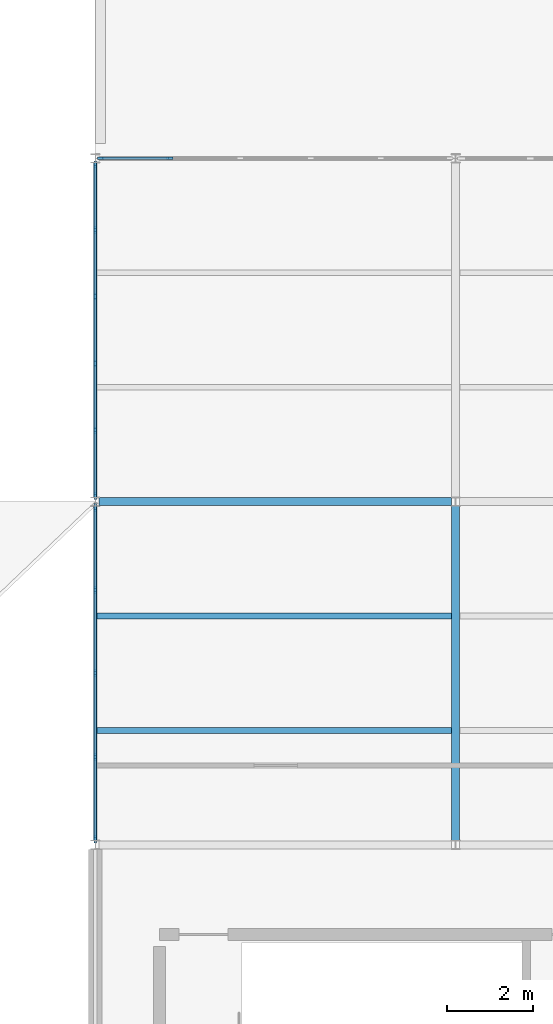
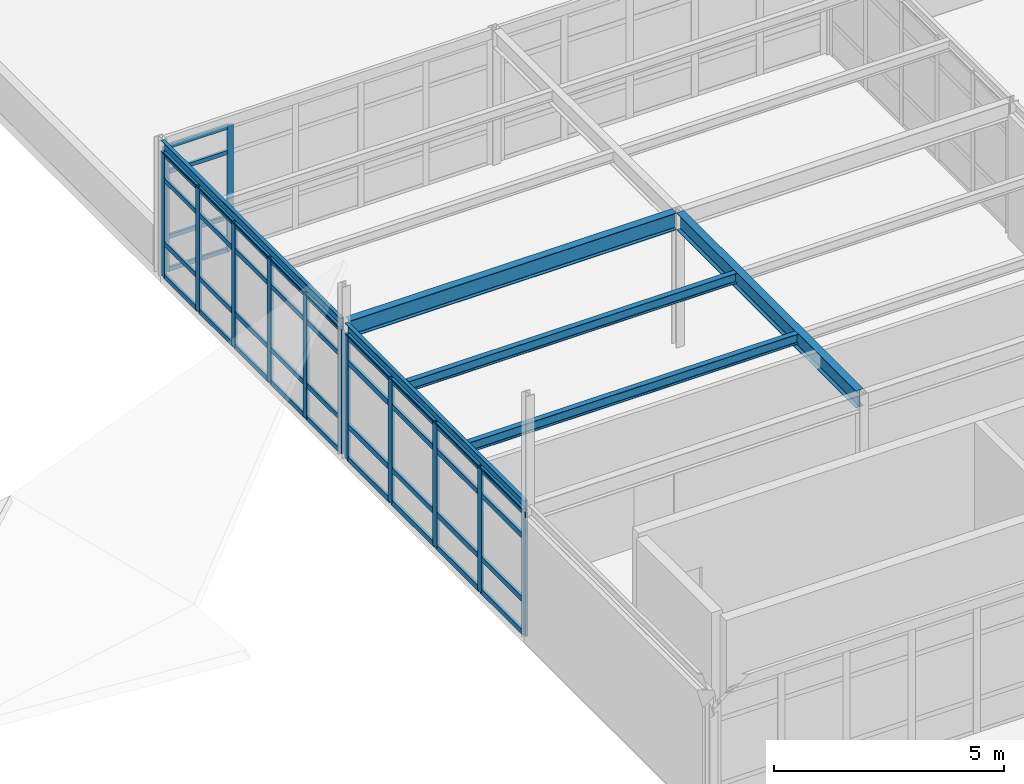
# One storey, part 16 of 32: 53 members, 6 beams, 3 elements without a shape of their own.
"""IFC4 building model written with IfcOpenShell, lengths in metres."""

from ifc_helpers import new_model, si_unit, direction, frame, origin, origin_2d, place, context, subcontext, project, spatial, rectangle, i_section, u_section, extrude, material, layer, layer_set, material_profile, profile_set, type_object, element, aggregate, save


model = new_model("IFC4")

# Units and contexts
model_context = context("Model", 3, precision=1e-05, world=origin(), true_north=direction((0.0, 1.0)))
body_context = subcontext(model_context, "Body", "Model", "MODEL_VIEW")
ifc_project = project(units=[si_unit("LENGTHUNIT", "METRE"), si_unit("AREAUNIT", "SQUARE_METRE"), si_unit("VOLUMEUNIT", "CUBIC_METRE"), si_unit("PLANEANGLEUNIT", "RADIAN"), si_unit("MASSUNIT", "GRAM", prefix="KILO")], contexts=[model_context])

# Site, building, storey
site_placement = place(None, origin())
site = spatial("IfcSite", under=ifc_project, at=site_placement, CompositionType="ELEMENT")
building_placement = place(site_placement, origin())
building = spatial("IfcBuilding", under=site, at=building_placement, Name="Kranzveld Transit Interchange", CompositionType="ELEMENT")
storey_placement = place(building_placement, frame((0.0, 0.0, 17.199951171875)))
storey = spatial("IfcBuildingStorey", under=building, at=storey_placement, Name="L04", CompositionType="ELEMENT", Elevation=17.199951171875)

# Beams
ifc_material_1 = material(Name="Steel S355JR", Category="steel")
ifc_material_profile_1 = material_profile(ifc_material_1, i_section(OverallWidth=0.18994140625, OverallDepth=0.453369140625, WebThickness=0.008544921875, FlangeThickness=0.0126953125, FilletRadius=0.01025390625, at=origin_2d()), Name="UB 457x191x67")
ifc_profile_set_1 = profile_set([ifc_material_profile_1], Name="Steel S355JR")
beam_type_1 = type_object("IfcBeamType", Name="Beam Steel UB 457x191x67 S355JR", PredefinedType="BEAM", material=ifc_profile_set_1)
beam_1_placement = place(storey_placement, frame((100.892822265625, 88.0, 3.36328125), z_axis=(1.0, 0.0, 0.0), x_axis=(0.0, 1.0, 0.0)))
element("IfcBeam", 1, at=beam_1_placement, inside=storey, type_object=beam_type_1, Name="L04 Girder 13-14/M", PredefinedType="BEAM", context=body_context, shape_type="SweptSolid", body=[
    extrude(i_section(OverallWidth=0.18994140625, OverallDepth=0.453369140625, WebThickness=0.008544921875, FlangeThickness=0.0126953125, FilletRadius=0.01025390625, at=origin_2d()), origin(), (0.0, 0.0, 1.0), 8.21435546875),
])
beam_2_placement = place(storey_placement, frame((109.199951171875, 80.0947265625, 3.36328125), z_axis=(0.0, 1.0, 0.0), x_axis=(-1.0, 0.0, 0.0)))
element("IfcBeam", 2, at=beam_2_placement, inside=storey, type_object=beam_type_1, Name="L04 Girder 14/L-M", PredefinedType="BEAM", context=body_context, shape_type="SweptSolid", body=[
    extrude(i_section(OverallWidth=0.18994140625, OverallDepth=0.453369140625, WebThickness=0.008544921875, FlangeThickness=0.0126953125, FilletRadius=0.01025390625, at=origin_2d()), origin(), (0.0, 0.0, 1.0), 7.810546875),
])

# Curtain wall, members
ifc_material_2 = material(Name="Bronze-anodised thermally broken aluminium", Category="aluminium")
ifc_layer_1 = layer(ifc_material_2, 0.14990234375)
ifc_layer_set_1 = layer_set([ifc_layer_1], Name="Bronze-anodised thermally broken aluminium")
curtain_wall_type_1 = type_object("IfcCurtainWallType", Name="Public Passage Clerestory Screen CW-4", PredefinedType="USERDEFINED", material=ifc_layer_set_1)
curtain_wall_1_placement = place(storey_placement, origin())
curtain_wall_1 = element("IfcCurtainWall", 3, at=curtain_wall_1_placement, inside=storey, type_object=curtain_wall_type_1, Name="L04 Curtain Wall 13/N-14/N", ObjectType="CURTAIN WALL", PredefinedType="USERDEFINED")
ifc_material_3 = material(Name="Bronze-anodised thermally broken aluminium", Category="aluminium")
ifc_material_profile_2 = material_profile(ifc_material_3, rectangle(XDim=0.06005859375, YDim=0.14990234375, at=origin_2d()), Name="ALU MULLION 60x150")
ifc_profile_set_2 = profile_set([ifc_material_profile_2], Name="Bronze-anodised thermally broken aluminium")
member_type_1 = type_object("IfcMemberType", Name="Curtain Wall Mullion 60x150 Alu", PredefinedType="MULLION", material=ifc_profile_set_2)
member_1_placement = place(storey_placement, frame((100.932861328125, 96.0, 0.0), z_axis=(0.0, 0.0, 1.0), x_axis=(0.0, 1.0, 0.0)))
member_1 = element("IfcMember", 4, at=member_1_placement, type_object=member_type_1, Name="CW-4 mullion 1", PredefinedType="MULLION", context=body_context, shape_type="SweptSolid", body=[
    extrude(rectangle(XDim=0.06005859375, YDim=0.14990234375, at=origin_2d()), origin(), (0.0, 0.0, 1.0), 3.330078125),
])
member_2_placement = place(storey_placement, frame((102.541748046875, 96.0, 0.0), z_axis=(0.0, 0.0, 1.0), x_axis=(0.0, 1.0, 0.0)))
member_2 = element("IfcMember", 5, at=member_2_placement, type_object=member_type_1, Name="CW-4 mullion 2", PredefinedType="MULLION", context=body_context, shape_type="SweptSolid", body=[
    extrude(rectangle(XDim=0.06005859375, YDim=0.14990234375, at=origin_2d()), origin(), (0.0, 0.0, 1.0), 3.330078125),
])

ifc_material_4 = material(Name="Bronze-anodised thermally broken aluminium", Category="aluminium")
ifc_layer_2 = layer(ifc_material_4, 0.1650390625)
ifc_layer_set_2 = layer_set([ifc_layer_2], Name="Bronze-anodised thermally broken aluminium")
curtain_wall_type_2 = type_object("IfcCurtainWallType", Name="Sunny Court Arcade Curtain Wall CW-2", PredefinedType="USERDEFINED", material=ifc_layer_set_2)
curtain_wall_2_placement = place(storey_placement, origin())
curtain_wall_2 = element("IfcCurtainWall", 6, at=curtain_wall_2_placement, inside=storey, type_object=curtain_wall_type_2, Name="L04 Curtain Wall 13/M-13/N", ObjectType="CURTAIN WALL", PredefinedType="USERDEFINED")
ifc_material_5 = material(Name="Bronze-anodised thermally broken aluminium", Category="aluminium")
ifc_material_profile_3 = material_profile(ifc_material_5, rectangle(XDim=0.06494140625, YDim=0.1650390625, at=origin_2d()), Name="ALU MULLION 65x165")
ifc_profile_set_3 = profile_set([ifc_material_profile_3], Name="Bronze-anodised thermally broken aluminium")
member_type_2 = type_object("IfcMemberType", Name="Curtain Wall Mullion 65x165 Alu", PredefinedType="MULLION", material=ifc_profile_set_3)
member_3_placement = place(storey_placement, frame((100.800048828125, 88.13720703125, 0.0), z_axis=(0.0, 0.0, 1.0), x_axis=(-1.0, 0.0, 0.0)))
member_3 = element("IfcMember", 7, at=member_3_placement, type_object=member_type_2, Name="CW-2 mullion 1", PredefinedType="MULLION", context=body_context, shape_type="SweptSolid", body=[
    extrude(rectangle(XDim=0.06494140625, YDim=0.1650390625, at=origin_2d()), origin(), (0.0, 0.0, 1.0), 3.2900390625),
])
member_4_placement = place(storey_placement, frame((100.800048828125, 89.662841796875, 0.0), z_axis=(0.0, 0.0, 1.0), x_axis=(-1.0, 0.0, 0.0)))
member_4 = element("IfcMember", 8, at=member_4_placement, type_object=member_type_2, Name="CW-2 mullion 2", PredefinedType="MULLION", context=body_context, shape_type="SweptSolid", body=[
    extrude(rectangle(XDim=0.06494140625, YDim=0.1650390625, at=origin_2d()), origin(), (0.0, 0.0, 1.0), 3.2900390625),
])
member_5_placement = place(storey_placement, frame((100.800048828125, 91.220947265625, 0.0), z_axis=(0.0, 0.0, 1.0), x_axis=(-1.0, 0.0, 0.0)))
member_5 = element("IfcMember", 9, at=member_5_placement, type_object=member_type_2, Name="CW-2 mullion 3", PredefinedType="MULLION", context=body_context, shape_type="SweptSolid", body=[
    extrude(rectangle(XDim=0.06494140625, YDim=0.1650390625, at=origin_2d()), origin(), (0.0, 0.0, 1.0), 3.2900390625),
])
member_6_placement = place(storey_placement, frame((100.800048828125, 92.779052734375, 0.0), z_axis=(0.0, 0.0, 1.0), x_axis=(-1.0, 0.0, 0.0)))
member_6 = element("IfcMember", 10, at=member_6_placement, type_object=member_type_2, Name="CW-2 mullion 4", PredefinedType="MULLION", context=body_context, shape_type="SweptSolid", body=[
    extrude(rectangle(XDim=0.06494140625, YDim=0.1650390625, at=origin_2d()), origin(), (0.0, 0.0, 1.0), 3.2900390625),
])
member_7_placement = place(storey_placement, frame((100.800048828125, 94.337158203125, 0.0), z_axis=(0.0, 0.0, 1.0), x_axis=(-1.0, 0.0, 0.0)))
member_7 = element("IfcMember", 11, at=member_7_placement, type_object=member_type_2, Name="CW-2 mullion 5", PredefinedType="MULLION", context=body_context, shape_type="SweptSolid", body=[
    extrude(rectangle(XDim=0.06494140625, YDim=0.1650390625, at=origin_2d()), origin(), (0.0, 0.0, 1.0), 3.2900390625),
])
member_8_placement = place(storey_placement, frame((100.800048828125, 95.86279296875, 0.0), z_axis=(0.0, 0.0, 1.0), x_axis=(-1.0, 0.0, 0.0)))
member_8 = element("IfcMember", 12, at=member_8_placement, type_object=member_type_2, Name="CW-2 mullion 6", PredefinedType="MULLION", context=body_context, shape_type="SweptSolid", body=[
    extrude(rectangle(XDim=0.06494140625, YDim=0.1650390625, at=origin_2d()), origin(), (0.0, 0.0, 1.0), 3.2900390625),
])

ifc_material_6 = material(Name="Bronze-anodised thermally broken aluminium", Category="aluminium")
ifc_layer_3 = layer(ifc_material_6, 0.179931640625)
ifc_layer_set_3 = layer_set([ifc_layer_3], Name="Bronze-anodised thermally broken aluminium")
curtain_wall_type_3 = type_object("IfcCurtainWallType", Name="Concourse Unitised Curtain Wall CW-1", PredefinedType="USERDEFINED", material=ifc_layer_set_3)
curtain_wall_3_placement = place(storey_placement, origin())
curtain_wall_3 = element("IfcCurtainWall", 13, at=curtain_wall_3_placement, inside=storey, type_object=curtain_wall_type_3, Name="L04 Curtain Wall 13/L-13/M", ObjectType="CURTAIN WALL", PredefinedType="USERDEFINED")
ifc_material_7 = material(Name="Bronze-anodised thermally broken aluminium", Category="aluminium")
ifc_material_profile_4 = material_profile(ifc_material_7, rectangle(XDim=0.06494140625, YDim=0.179931640625, at=origin_2d()), Name="ALU MULLION 65x180")
ifc_profile_set_4 = profile_set([ifc_material_profile_4], Name="Bronze-anodised thermally broken aluminium")
member_type_3 = type_object("IfcMemberType", Name="Curtain Wall Mullion 65x180 Alu", PredefinedType="MULLION", material=ifc_profile_set_4)
member_9_placement = place(storey_placement, frame((100.800048828125, 80.13720703125, 0.0), z_axis=(0.0, 0.0, 1.0), x_axis=(-1.0, 0.0, 0.0)))
member_9 = element("IfcMember", 14, at=member_9_placement, type_object=member_type_3, Name="CW-1 mullion 1", PredefinedType="MULLION", context=body_context, shape_type="SweptSolid", body=[
    extrude(rectangle(XDim=0.06494140625, YDim=0.179931640625, at=origin_2d()), origin(), (0.0, 0.0, 1.0), 3.2900390625),
])
member_10_placement = place(storey_placement, frame((100.800048828125, 82.052490234375, 0.0), z_axis=(0.0, 0.0, 1.0), x_axis=(-1.0, 0.0, 0.0)))
member_10 = element("IfcMember", 15, at=member_10_placement, type_object=member_type_3, Name="CW-1 mullion 2", PredefinedType="MULLION", context=body_context, shape_type="SweptSolid", body=[
    extrude(rectangle(XDim=0.06494140625, YDim=0.179931640625, at=origin_2d()), origin(), (0.0, 0.0, 1.0), 3.2900390625),
])
member_11_placement = place(storey_placement, frame((100.800048828125, 84.0, 0.0), z_axis=(0.0, 0.0, 1.0), x_axis=(-1.0, 0.0, 0.0)))
member_11 = element("IfcMember", 16, at=member_11_placement, type_object=member_type_3, Name="CW-1 mullion 3", PredefinedType="MULLION", context=body_context, shape_type="SweptSolid", body=[
    extrude(rectangle(XDim=0.06494140625, YDim=0.179931640625, at=origin_2d()), origin(), (0.0, 0.0, 1.0), 3.2900390625),
])
member_12_placement = place(storey_placement, frame((100.800048828125, 85.947509765625, 0.0), z_axis=(0.0, 0.0, 1.0), x_axis=(-1.0, 0.0, 0.0)))
member_12 = element("IfcMember", 17, at=member_12_placement, type_object=member_type_3, Name="CW-1 mullion 4", PredefinedType="MULLION", context=body_context, shape_type="SweptSolid", body=[
    extrude(rectangle(XDim=0.06494140625, YDim=0.179931640625, at=origin_2d()), origin(), (0.0, 0.0, 1.0), 3.2900390625),
])
member_13_placement = place(storey_placement, frame((100.800048828125, 87.86279296875, 0.0), z_axis=(0.0, 0.0, 1.0), x_axis=(-1.0, 0.0, 0.0)))
member_13 = element("IfcMember", 18, at=member_13_placement, type_object=member_type_3, Name="CW-1 mullion 5", PredefinedType="MULLION", context=body_context, shape_type="SweptSolid", body=[
    extrude(rectangle(XDim=0.06494140625, YDim=0.179931640625, at=origin_2d()), origin(), (0.0, 0.0, 1.0), 3.2900390625),
])

# Member
ifc_material_8 = material(Name="Bronze-anodised thermally broken aluminium", Category="aluminium")
ifc_material_profile_5 = material_profile(ifc_material_8, rectangle(XDim=0.06005859375, YDim=0.110107421875, at=origin_2d()), Name="ALU TRANSOM 60x110")
ifc_profile_set_5 = profile_set([ifc_material_profile_5], Name="Bronze-anodised thermally broken aluminium")
member_type_4 = type_object("IfcMemberType", Name="Curtain Wall Transom 60x110 Alu", PredefinedType="USERDEFINED", material=ifc_profile_set_5)
member_14_placement = place(storey_placement, frame((100.962890625, 96.0, 0.030029296875), z_axis=(1.0, 0.0, 0.0), x_axis=(0.0, 1.0, 0.0)))
member_14 = element("IfcMember", 19, at=member_14_placement, type_object=member_type_4, Name="CW-4 transom 1.1", ObjectType="TRANSOM", PredefinedType="USERDEFINED", context=body_context, shape_type="SweptSolid", body=[
    extrude(rectangle(XDim=0.06005859375, YDim=0.110107421875, at=origin_2d()), origin(), (0.0, 0.0, 1.0), 1.548828125),
])

member_15_placement = place(storey_placement, frame((100.962890625, 96.0, 0.900146484375), z_axis=(1.0, 0.0, 0.0), x_axis=(0.0, 1.0, 0.0)))
member_15 = element("IfcMember", 20, at=member_15_placement, type_object=member_type_4, Name="CW-4 transom 1.2", ObjectType="TRANSOM", PredefinedType="USERDEFINED", context=body_context, shape_type="SweptSolid", body=[
    extrude(rectangle(XDim=0.06005859375, YDim=0.110107421875, at=origin_2d()), origin(), (0.0, 0.0, 1.0), 1.548828125),
])

member_16_placement = place(storey_placement, frame((100.962890625, 96.0, 2.630126953125), z_axis=(1.0, 0.0, 0.0), x_axis=(0.0, 1.0, 0.0)))
member_16 = element("IfcMember", 21, at=member_16_placement, type_object=member_type_4, Name="CW-4 transom 1.3", ObjectType="TRANSOM", PredefinedType="USERDEFINED", context=body_context, shape_type="SweptSolid", body=[
    extrude(rectangle(XDim=0.06005859375, YDim=0.110107421875, at=origin_2d()), origin(), (0.0, 0.0, 1.0), 1.548828125),
])

member_17_placement = place(storey_placement, frame((100.962890625, 96.0, 3.300048828125), z_axis=(1.0, 0.0, 0.0), x_axis=(0.0, 1.0, 0.0)))
member_17 = element("IfcMember", 22, at=member_17_placement, type_object=member_type_4, Name="CW-4 transom 1.4", ObjectType="TRANSOM", PredefinedType="USERDEFINED", context=body_context, shape_type="SweptSolid", body=[
    extrude(rectangle(XDim=0.06005859375, YDim=0.110107421875, at=origin_2d()), origin(), (0.0, 0.0, 1.0), 1.548828125),
])

aggregate(curtain_wall_1, [member_1, member_2, member_14, member_15, member_16, member_17])

ifc_material_9 = material(Name="Bronze-anodised thermally broken aluminium", Category="aluminium")
ifc_material_profile_6 = material_profile(ifc_material_9, rectangle(XDim=0.06005859375, YDim=0.125, at=origin_2d()), Name="ALU TRANSOM 60x125")
ifc_profile_set_6 = profile_set([ifc_material_profile_6], Name="Bronze-anodised thermally broken aluminium")
member_type_5 = type_object("IfcMemberType", Name="Curtain Wall Transom 60x125 Alu", PredefinedType="USERDEFINED", material=ifc_profile_set_6)
member_18_placement = place(storey_placement, frame((100.800048828125, 88.169921875, 0.030029296875), z_axis=(0.0, 1.0, 0.0), x_axis=(-1.0, 0.0, 0.0)))
member_18 = element("IfcMember", 23, at=member_18_placement, type_object=member_type_5, Name="CW-2 transom 1.1", ObjectType="TRANSOM", PredefinedType="USERDEFINED", context=body_context, shape_type="SweptSolid", body=[
    extrude(rectangle(XDim=0.06005859375, YDim=0.125, at=origin_2d()), origin(), (0.0, 0.0, 1.0), 1.46044921875),
])

member_19_placement = place(storey_placement, frame((100.800048828125, 88.169921875, 0.900146484375), z_axis=(0.0, 1.0, 0.0), x_axis=(-1.0, 0.0, 0.0)))
member_19 = element("IfcMember", 24, at=member_19_placement, type_object=member_type_5, Name="CW-2 transom 1.2", ObjectType="TRANSOM", PredefinedType="USERDEFINED", context=body_context, shape_type="SweptSolid", body=[
    extrude(rectangle(XDim=0.06005859375, YDim=0.125, at=origin_2d()), origin(), (0.0, 0.0, 1.0), 1.46044921875),
])

member_20_placement = place(storey_placement, frame((100.800048828125, 88.169921875, 2.590087890625), z_axis=(0.0, 1.0, 0.0), x_axis=(-1.0, 0.0, 0.0)))
member_20 = element("IfcMember", 25, at=member_20_placement, type_object=member_type_5, Name="CW-2 transom 1.3", ObjectType="TRANSOM", PredefinedType="USERDEFINED", context=body_context, shape_type="SweptSolid", body=[
    extrude(rectangle(XDim=0.06005859375, YDim=0.125, at=origin_2d()), origin(), (0.0, 0.0, 1.0), 1.46044921875),
])

member_21_placement = place(storey_placement, frame((100.800048828125, 88.169921875, 3.260009765625), z_axis=(0.0, 1.0, 0.0), x_axis=(-1.0, 0.0, 0.0)))
member_21 = element("IfcMember", 26, at=member_21_placement, type_object=member_type_5, Name="CW-2 transom 1.4", ObjectType="TRANSOM", PredefinedType="USERDEFINED", context=body_context, shape_type="SweptSolid", body=[
    extrude(rectangle(XDim=0.06005859375, YDim=0.125, at=origin_2d()), origin(), (0.0, 0.0, 1.0), 1.46044921875),
])

member_22_placement = place(storey_placement, frame((100.800048828125, 89.6953125, 0.030029296875), z_axis=(0.0, 1.0, 0.0), x_axis=(-1.0, 0.0, 0.0)))
member_22 = element("IfcMember", 27, at=member_22_placement, type_object=member_type_5, Name="CW-2 transom 2.1", ObjectType="TRANSOM", PredefinedType="USERDEFINED", context=body_context, shape_type="SweptSolid", body=[
    extrude(rectangle(XDim=0.06005859375, YDim=0.125, at=origin_2d()), origin(), (0.0, 0.0, 1.0), 1.4931640625),
])

member_23_placement = place(storey_placement, frame((100.800048828125, 89.6953125, 0.900146484375), z_axis=(0.0, 1.0, 0.0), x_axis=(-1.0, 0.0, 0.0)))
member_23 = element("IfcMember", 28, at=member_23_placement, type_object=member_type_5, Name="CW-2 transom 2.2", ObjectType="TRANSOM", PredefinedType="USERDEFINED", context=body_context, shape_type="SweptSolid", body=[
    extrude(rectangle(XDim=0.06005859375, YDim=0.125, at=origin_2d()), origin(), (0.0, 0.0, 1.0), 1.4931640625),
])

member_24_placement = place(storey_placement, frame((100.800048828125, 89.6953125, 2.590087890625), z_axis=(0.0, 1.0, 0.0), x_axis=(-1.0, 0.0, 0.0)))
member_24 = element("IfcMember", 29, at=member_24_placement, type_object=member_type_5, Name="CW-2 transom 2.3", ObjectType="TRANSOM", PredefinedType="USERDEFINED", context=body_context, shape_type="SweptSolid", body=[
    extrude(rectangle(XDim=0.06005859375, YDim=0.125, at=origin_2d()), origin(), (0.0, 0.0, 1.0), 1.4931640625),
])

member_25_placement = place(storey_placement, frame((100.800048828125, 89.6953125, 3.260009765625), z_axis=(0.0, 1.0, 0.0), x_axis=(-1.0, 0.0, 0.0)))
member_25 = element("IfcMember", 30, at=member_25_placement, type_object=member_type_5, Name="CW-2 transom 2.4", ObjectType="TRANSOM", PredefinedType="USERDEFINED", context=body_context, shape_type="SweptSolid", body=[
    extrude(rectangle(XDim=0.06005859375, YDim=0.125, at=origin_2d()), origin(), (0.0, 0.0, 1.0), 1.4931640625),
])

member_26_placement = place(storey_placement, frame((100.800048828125, 91.25341796875, 0.030029296875), z_axis=(0.0, 1.0, 0.0), x_axis=(-1.0, 0.0, 0.0)))
member_26 = element("IfcMember", 31, at=member_26_placement, type_object=member_type_5, Name="CW-2 transom 3.1", ObjectType="TRANSOM", PredefinedType="USERDEFINED", context=body_context, shape_type="SweptSolid", body=[
    extrude(rectangle(XDim=0.06005859375, YDim=0.125, at=origin_2d()), origin(), (0.0, 0.0, 1.0), 1.4931640625),
])

member_27_placement = place(storey_placement, frame((100.800048828125, 91.25341796875, 0.900146484375), z_axis=(0.0, 1.0, 0.0), x_axis=(-1.0, 0.0, 0.0)))
member_27 = element("IfcMember", 32, at=member_27_placement, type_object=member_type_5, Name="CW-2 transom 3.2", ObjectType="TRANSOM", PredefinedType="USERDEFINED", context=body_context, shape_type="SweptSolid", body=[
    extrude(rectangle(XDim=0.06005859375, YDim=0.125, at=origin_2d()), origin(), (0.0, 0.0, 1.0), 1.4931640625),
])

member_28_placement = place(storey_placement, frame((100.800048828125, 91.25341796875, 2.590087890625), z_axis=(0.0, 1.0, 0.0), x_axis=(-1.0, 0.0, 0.0)))
member_28 = element("IfcMember", 33, at=member_28_placement, type_object=member_type_5, Name="CW-2 transom 3.3", ObjectType="TRANSOM", PredefinedType="USERDEFINED", context=body_context, shape_type="SweptSolid", body=[
    extrude(rectangle(XDim=0.06005859375, YDim=0.125, at=origin_2d()), origin(), (0.0, 0.0, 1.0), 1.4931640625),
])

member_29_placement = place(storey_placement, frame((100.800048828125, 91.25341796875, 3.260009765625), z_axis=(0.0, 1.0, 0.0), x_axis=(-1.0, 0.0, 0.0)))
member_29 = element("IfcMember", 34, at=member_29_placement, type_object=member_type_5, Name="CW-2 transom 3.4", ObjectType="TRANSOM", PredefinedType="USERDEFINED", context=body_context, shape_type="SweptSolid", body=[
    extrude(rectangle(XDim=0.06005859375, YDim=0.125, at=origin_2d()), origin(), (0.0, 0.0, 1.0), 1.4931640625),
])

member_30_placement = place(storey_placement, frame((100.800048828125, 92.8115234375, 0.030029296875), z_axis=(0.0, 1.0, 0.0), x_axis=(-1.0, 0.0, 0.0)))
member_30 = element("IfcMember", 35, at=member_30_placement, type_object=member_type_5, Name="CW-2 transom 4.1", ObjectType="TRANSOM", PredefinedType="USERDEFINED", context=body_context, shape_type="SweptSolid", body=[
    extrude(rectangle(XDim=0.06005859375, YDim=0.125, at=origin_2d()), origin(), (0.0, 0.0, 1.0), 1.4931640625),
])

member_31_placement = place(storey_placement, frame((100.800048828125, 92.8115234375, 0.900146484375), z_axis=(0.0, 1.0, 0.0), x_axis=(-1.0, 0.0, 0.0)))
member_31 = element("IfcMember", 36, at=member_31_placement, type_object=member_type_5, Name="CW-2 transom 4.2", ObjectType="TRANSOM", PredefinedType="USERDEFINED", context=body_context, shape_type="SweptSolid", body=[
    extrude(rectangle(XDim=0.06005859375, YDim=0.125, at=origin_2d()), origin(), (0.0, 0.0, 1.0), 1.4931640625),
])

member_32_placement = place(storey_placement, frame((100.800048828125, 92.8115234375, 2.590087890625), z_axis=(0.0, 1.0, 0.0), x_axis=(-1.0, 0.0, 0.0)))
member_32 = element("IfcMember", 37, at=member_32_placement, type_object=member_type_5, Name="CW-2 transom 4.3", ObjectType="TRANSOM", PredefinedType="USERDEFINED", context=body_context, shape_type="SweptSolid", body=[
    extrude(rectangle(XDim=0.06005859375, YDim=0.125, at=origin_2d()), origin(), (0.0, 0.0, 1.0), 1.4931640625),
])

member_33_placement = place(storey_placement, frame((100.800048828125, 92.8115234375, 3.260009765625), z_axis=(0.0, 1.0, 0.0), x_axis=(-1.0, 0.0, 0.0)))
member_33 = element("IfcMember", 38, at=member_33_placement, type_object=member_type_5, Name="CW-2 transom 4.4", ObjectType="TRANSOM", PredefinedType="USERDEFINED", context=body_context, shape_type="SweptSolid", body=[
    extrude(rectangle(XDim=0.06005859375, YDim=0.125, at=origin_2d()), origin(), (0.0, 0.0, 1.0), 1.4931640625),
])

member_34_placement = place(storey_placement, frame((100.800048828125, 94.36962890625, 0.030029296875), z_axis=(0.0, 1.0, 0.0), x_axis=(-1.0, 0.0, 0.0)))
member_34 = element("IfcMember", 39, at=member_34_placement, type_object=member_type_5, Name="CW-2 transom 5.1", ObjectType="TRANSOM", PredefinedType="USERDEFINED", context=body_context, shape_type="SweptSolid", body=[
    extrude(rectangle(XDim=0.06005859375, YDim=0.125, at=origin_2d()), origin(), (0.0, 0.0, 1.0), 1.46044921875),
])

member_35_placement = place(storey_placement, frame((100.800048828125, 94.36962890625, 0.900146484375), z_axis=(0.0, 1.0, 0.0), x_axis=(-1.0, 0.0, 0.0)))
member_35 = element("IfcMember", 40, at=member_35_placement, type_object=member_type_5, Name="CW-2 transom 5.2", ObjectType="TRANSOM", PredefinedType="USERDEFINED", context=body_context, shape_type="SweptSolid", body=[
    extrude(rectangle(XDim=0.06005859375, YDim=0.125, at=origin_2d()), origin(), (0.0, 0.0, 1.0), 1.46044921875),
])

member_36_placement = place(storey_placement, frame((100.800048828125, 94.36962890625, 2.590087890625), z_axis=(0.0, 1.0, 0.0), x_axis=(-1.0, 0.0, 0.0)))
member_36 = element("IfcMember", 41, at=member_36_placement, type_object=member_type_5, Name="CW-2 transom 5.3", ObjectType="TRANSOM", PredefinedType="USERDEFINED", context=body_context, shape_type="SweptSolid", body=[
    extrude(rectangle(XDim=0.06005859375, YDim=0.125, at=origin_2d()), origin(), (0.0, 0.0, 1.0), 1.46044921875),
])

member_37_placement = place(storey_placement, frame((100.800048828125, 94.36962890625, 3.260009765625), z_axis=(0.0, 1.0, 0.0), x_axis=(-1.0, 0.0, 0.0)))
member_37 = element("IfcMember", 42, at=member_37_placement, type_object=member_type_5, Name="CW-2 transom 5.4", ObjectType="TRANSOM", PredefinedType="USERDEFINED", context=body_context, shape_type="SweptSolid", body=[
    extrude(rectangle(XDim=0.06005859375, YDim=0.125, at=origin_2d()), origin(), (0.0, 0.0, 1.0), 1.46044921875),
])

aggregate(curtain_wall_2, [member_3, member_4, member_5, member_6, member_7, member_8, member_18, member_19, member_20, member_21, member_22, member_23, member_24, member_25, member_26, member_27, member_28, member_29, member_30, member_31, member_32, member_33, member_34, member_35, member_36, member_37])

ifc_material_10 = material(Name="Bronze-anodised thermally broken aluminium", Category="aluminium")
ifc_material_profile_7 = material_profile(ifc_material_10, rectangle(XDim=0.06494140625, YDim=0.139892578125, at=origin_2d()), Name="ALU TRANSOM 65x140")
ifc_profile_set_7 = profile_set([ifc_material_profile_7], Name="Bronze-anodised thermally broken aluminium")
member_type_6 = type_object("IfcMemberType", Name="Curtain Wall Transom 65x140 Alu", PredefinedType="USERDEFINED", material=ifc_profile_set_7)
member_38_placement = place(storey_placement, frame((100.800048828125, 80.169921875, 0.032470703125), z_axis=(0.0, 1.0, 0.0), x_axis=(-1.0, 0.0, 0.0)))
member_38 = element("IfcMember", 43, at=member_38_placement, type_object=member_type_6, Name="CW-1 transom 1.1", ObjectType="TRANSOM", PredefinedType="USERDEFINED", context=body_context, shape_type="SweptSolid", body=[
    extrude(rectangle(XDim=0.06494140625, YDim=0.139892578125, at=origin_2d()), origin(), (0.0, 0.0, 1.0), 1.85009765625),
])

member_39_placement = place(storey_placement, frame((100.800048828125, 80.169921875, 0.900146484375), z_axis=(0.0, 1.0, 0.0), x_axis=(-1.0, 0.0, 0.0)))
member_39 = element("IfcMember", 44, at=member_39_placement, type_object=member_type_6, Name="CW-1 transom 1.2", ObjectType="TRANSOM", PredefinedType="USERDEFINED", context=body_context, shape_type="SweptSolid", body=[
    extrude(rectangle(XDim=0.06494140625, YDim=0.139892578125, at=origin_2d()), origin(), (0.0, 0.0, 1.0), 1.85009765625),
])

member_40_placement = place(storey_placement, frame((100.800048828125, 80.169921875, 2.590087890625), z_axis=(0.0, 1.0, 0.0), x_axis=(-1.0, 0.0, 0.0)))
member_40 = element("IfcMember", 45, at=member_40_placement, type_object=member_type_6, Name="CW-1 transom 1.3", ObjectType="TRANSOM", PredefinedType="USERDEFINED", context=body_context, shape_type="SweptSolid", body=[
    extrude(rectangle(XDim=0.06494140625, YDim=0.139892578125, at=origin_2d()), origin(), (0.0, 0.0, 1.0), 1.85009765625),
])

member_41_placement = place(storey_placement, frame((100.800048828125, 80.169921875, 3.257568359375), z_axis=(0.0, 1.0, 0.0), x_axis=(-1.0, 0.0, 0.0)))
member_41 = element("IfcMember", 46, at=member_41_placement, type_object=member_type_6, Name="CW-1 transom 1.4", ObjectType="TRANSOM", PredefinedType="USERDEFINED", context=body_context, shape_type="SweptSolid", body=[
    extrude(rectangle(XDim=0.06494140625, YDim=0.139892578125, at=origin_2d()), origin(), (0.0, 0.0, 1.0), 1.85009765625),
])

member_42_placement = place(storey_placement, frame((100.800048828125, 82.0849609375, 0.032470703125), z_axis=(0.0, 1.0, 0.0), x_axis=(-1.0, 0.0, 0.0)))
member_42 = element("IfcMember", 47, at=member_42_placement, type_object=member_type_6, Name="CW-1 transom 2.1", ObjectType="TRANSOM", PredefinedType="USERDEFINED", context=body_context, shape_type="SweptSolid", body=[
    extrude(rectangle(XDim=0.06494140625, YDim=0.139892578125, at=origin_2d()), origin(), (0.0, 0.0, 1.0), 1.882568359375),
])

member_43_placement = place(storey_placement, frame((100.800048828125, 82.0849609375, 0.900146484375), z_axis=(0.0, 1.0, 0.0), x_axis=(-1.0, 0.0, 0.0)))
member_43 = element("IfcMember", 48, at=member_43_placement, type_object=member_type_6, Name="CW-1 transom 2.2", ObjectType="TRANSOM", PredefinedType="USERDEFINED", context=body_context, shape_type="SweptSolid", body=[
    extrude(rectangle(XDim=0.06494140625, YDim=0.139892578125, at=origin_2d()), origin(), (0.0, 0.0, 1.0), 1.882568359375),
])

member_44_placement = place(storey_placement, frame((100.800048828125, 82.0849609375, 2.590087890625), z_axis=(0.0, 1.0, 0.0), x_axis=(-1.0, 0.0, 0.0)))
member_44 = element("IfcMember", 49, at=member_44_placement, type_object=member_type_6, Name="CW-1 transom 2.3", ObjectType="TRANSOM", PredefinedType="USERDEFINED", context=body_context, shape_type="SweptSolid", body=[
    extrude(rectangle(XDim=0.06494140625, YDim=0.139892578125, at=origin_2d()), origin(), (0.0, 0.0, 1.0), 1.882568359375),
])

member_45_placement = place(storey_placement, frame((100.800048828125, 82.0849609375, 3.257568359375), z_axis=(0.0, 1.0, 0.0), x_axis=(-1.0, 0.0, 0.0)))
member_45 = element("IfcMember", 50, at=member_45_placement, type_object=member_type_6, Name="CW-1 transom 2.4", ObjectType="TRANSOM", PredefinedType="USERDEFINED", context=body_context, shape_type="SweptSolid", body=[
    extrude(rectangle(XDim=0.06494140625, YDim=0.139892578125, at=origin_2d()), origin(), (0.0, 0.0, 1.0), 1.882568359375),
])

member_46_placement = place(storey_placement, frame((100.800048828125, 84.032470703125, 0.032470703125), z_axis=(0.0, 1.0, 0.0), x_axis=(-1.0, 0.0, 0.0)))
member_46 = element("IfcMember", 51, at=member_46_placement, type_object=member_type_6, Name="CW-1 transom 3.1", ObjectType="TRANSOM", PredefinedType="USERDEFINED", context=body_context, shape_type="SweptSolid", body=[
    extrude(rectangle(XDim=0.06494140625, YDim=0.139892578125, at=origin_2d()), origin(), (0.0, 0.0, 1.0), 1.882568359375),
])

member_47_placement = place(storey_placement, frame((100.800048828125, 84.032470703125, 0.900146484375), z_axis=(0.0, 1.0, 0.0), x_axis=(-1.0, 0.0, 0.0)))
member_47 = element("IfcMember", 52, at=member_47_placement, type_object=member_type_6, Name="CW-1 transom 3.2", ObjectType="TRANSOM", PredefinedType="USERDEFINED", context=body_context, shape_type="SweptSolid", body=[
    extrude(rectangle(XDim=0.06494140625, YDim=0.139892578125, at=origin_2d()), origin(), (0.0, 0.0, 1.0), 1.882568359375),
])

member_48_placement = place(storey_placement, frame((100.800048828125, 84.032470703125, 2.590087890625), z_axis=(0.0, 1.0, 0.0), x_axis=(-1.0, 0.0, 0.0)))
member_48 = element("IfcMember", 53, at=member_48_placement, type_object=member_type_6, Name="CW-1 transom 3.3", ObjectType="TRANSOM", PredefinedType="USERDEFINED", context=body_context, shape_type="SweptSolid", body=[
    extrude(rectangle(XDim=0.06494140625, YDim=0.139892578125, at=origin_2d()), origin(), (0.0, 0.0, 1.0), 1.882568359375),
])

member_49_placement = place(storey_placement, frame((100.800048828125, 84.032470703125, 3.257568359375), z_axis=(0.0, 1.0, 0.0), x_axis=(-1.0, 0.0, 0.0)))
member_49 = element("IfcMember", 54, at=member_49_placement, type_object=member_type_6, Name="CW-1 transom 3.4", ObjectType="TRANSOM", PredefinedType="USERDEFINED", context=body_context, shape_type="SweptSolid", body=[
    extrude(rectangle(XDim=0.06494140625, YDim=0.139892578125, at=origin_2d()), origin(), (0.0, 0.0, 1.0), 1.882568359375),
])

member_50_placement = place(storey_placement, frame((100.800048828125, 85.97998046875, 0.032470703125), z_axis=(0.0, 1.0, 0.0), x_axis=(-1.0, 0.0, 0.0)))
member_50 = element("IfcMember", 55, at=member_50_placement, type_object=member_type_6, Name="CW-1 transom 4.1", ObjectType="TRANSOM", PredefinedType="USERDEFINED", context=body_context, shape_type="SweptSolid", body=[
    extrude(rectangle(XDim=0.06494140625, YDim=0.139892578125, at=origin_2d()), origin(), (0.0, 0.0, 1.0), 1.85009765625),
])

member_51_placement = place(storey_placement, frame((100.800048828125, 85.97998046875, 0.900146484375), z_axis=(0.0, 1.0, 0.0), x_axis=(-1.0, 0.0, 0.0)))
member_51 = element("IfcMember", 56, at=member_51_placement, type_object=member_type_6, Name="CW-1 transom 4.2", ObjectType="TRANSOM", PredefinedType="USERDEFINED", context=body_context, shape_type="SweptSolid", body=[
    extrude(rectangle(XDim=0.06494140625, YDim=0.139892578125, at=origin_2d()), origin(), (0.0, 0.0, 1.0), 1.85009765625),
])

member_52_placement = place(storey_placement, frame((100.800048828125, 85.97998046875, 2.590087890625), z_axis=(0.0, 1.0, 0.0), x_axis=(-1.0, 0.0, 0.0)))
member_52 = element("IfcMember", 57, at=member_52_placement, type_object=member_type_6, Name="CW-1 transom 4.3", ObjectType="TRANSOM", PredefinedType="USERDEFINED", context=body_context, shape_type="SweptSolid", body=[
    extrude(rectangle(XDim=0.06494140625, YDim=0.139892578125, at=origin_2d()), origin(), (0.0, 0.0, 1.0), 1.85009765625),
])

member_53_placement = place(storey_placement, frame((100.800048828125, 85.97998046875, 3.257568359375), z_axis=(0.0, 1.0, 0.0), x_axis=(-1.0, 0.0, 0.0)))
member_53 = element("IfcMember", 58, at=member_53_placement, type_object=member_type_6, Name="CW-1 transom 4.4", ObjectType="TRANSOM", PredefinedType="USERDEFINED", context=body_context, shape_type="SweptSolid", body=[
    extrude(rectangle(XDim=0.06494140625, YDim=0.139892578125, at=origin_2d()), origin(), (0.0, 0.0, 1.0), 1.85009765625),
])

aggregate(curtain_wall_3, [member_9, member_10, member_11, member_12, member_13, member_38, member_39, member_40, member_41, member_42, member_43, member_44, member_45, member_46, member_47, member_48, member_49, member_50, member_51, member_52, member_53])

# Beams
ifc_material_11 = material(Name="Steel S355JR", Category="steel")
ifc_material_profile_8 = material_profile(ifc_material_11, i_section(OverallWidth=0.135009765625, OverallDepth=0.27001953125, WebThickness=0.006591796875, FlangeThickness=0.01025390625, FilletRadius=0.014892578125, at=origin_2d()), Name="IPE 270")
ifc_profile_set_8 = profile_set([ifc_material_profile_8], Name="Steel S355JR")
beam_type_2 = type_object("IfcBeamType", Name="Deck Joist IPE 270 S355JR", PredefinedType="JOIST", material=ifc_profile_set_8)
for number, where, z_axis, x_axis, name in (
    (59, (100.846923828125, 82.666748046875, 3.455078125), (1.0, 0.0, 0.0), (0.0, 1.0, 0.0), "L04 Secondary Joist 13-14/L.1"),
    (60, (100.846923828125, 85.333251953125, 3.455078125), (1.0, 0.0, 0.0), (0.0, 1.0, 0.0), "L04 Secondary Joist 13-14/L.2"),
):
    element("IfcBeam", number, at=place(storey_placement, frame(where, z_axis=z_axis, x_axis=x_axis)), inside=storey, type_object=beam_type_2, Name=name, PredefinedType="JOIST", context=body_context, shape_type="SweptSolid", body=[
        extrude(i_section(OverallWidth=0.135009765625, OverallDepth=0.27001953125, WebThickness=0.006591796875, FlangeThickness=0.01025390625, FilletRadius=0.014892578125, at=origin_2d()), origin(), (0.0, 0.0, 1.0), 8.256103515625),
    ])
ifc_material_12 = material(Name="Steel S355JR", Category="steel")
ifc_material_profile_9 = material_profile(ifc_material_12, u_section(Depth=0.300048828125, FlangeWidth=0.090087890625, WebThickness=0.009033203125, FlangeThickness=0.015380859375, FilletRadius=0.011962890625, at=origin_2d()), Name="PFC 300x90x41")
ifc_profile_set_9 = profile_set([ifc_material_profile_9], Name="Steel S355JR")
beam_type_3 = type_object("IfcBeamType", Name="Edge Spandrel PFC 300x90x41 S355JR", PredefinedType="SPANDREL", material=ifc_profile_set_9)
for number, where, z_axis, x_axis, name in (
    (61, (100.800048828125, 80.0947265625, 3.43994140625), (0.0, 1.0, 0.0), (-1.0, 0.0, 0.0), "L04 Girder 13/L-M"),
    (62, (100.800048828125, 88.0947265625, 3.43994140625), (0.0, 1.0, 0.0), (-1.0, 0.0, 0.0), "L04 Girder 13/M-N"),
):
    element("IfcBeam", number, at=place(storey_placement, frame(where, z_axis=z_axis, x_axis=x_axis)), inside=storey, type_object=beam_type_3, Name=name, PredefinedType="SPANDREL", context=body_context, shape_type="SweptSolid", body=[
        extrude(u_section(Depth=0.300048828125, FlangeWidth=0.090087890625, WebThickness=0.009033203125, FlangeThickness=0.015380859375, FilletRadius=0.011962890625, at=origin_2d()), origin(), (0.0, 0.0, 1.0), 7.810546875),
    ])

save(model, "model.ifc")
